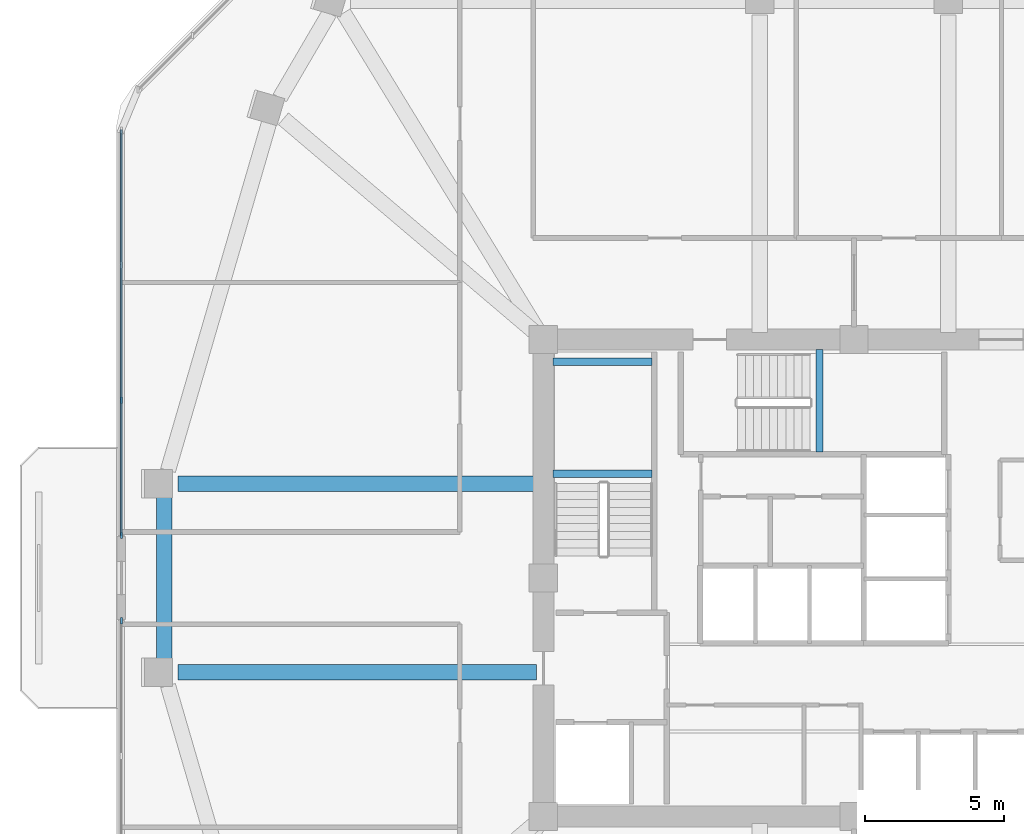
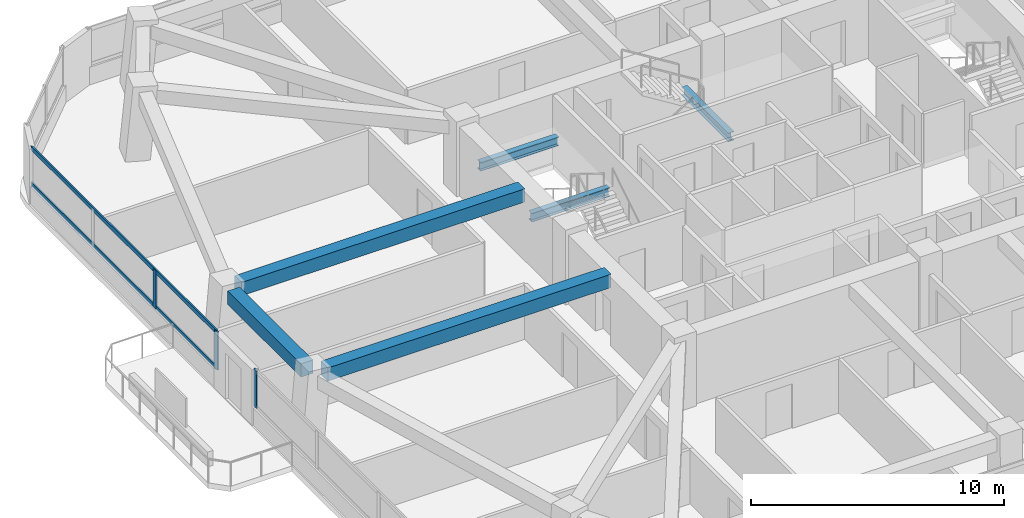
# One storey, part 4 of 15: 6 beams, 5 members, 2 elements without a shape of their own.
"""IFC4 building model written with IfcOpenShell, lengths in metres."""

from ifc_helpers import new_model, si_unit, derived_unit, direction, frame, origin, origin_2d, place, context, subcontext, project, spatial, rectangle, i_section, extrude, material, material_profile, profile_set, type_object, element, aggregate, save


model = new_model("IFC4")

# Units and contexts
model_context = context("Model", 3, precision=1e-05, world=origin(), true_north=direction((0.0, 1.0)))
body_context = subcontext(model_context, "Body", "Model", "MODEL_VIEW")
ifc_project = project(units=[si_unit("LENGTHUNIT", "METRE"), si_unit("AREAUNIT", "SQUARE_METRE"), si_unit("VOLUMEUNIT", "CUBIC_METRE"), si_unit("PLANEANGLEUNIT", "RADIAN"), si_unit("MASSUNIT", "GRAM", prefix="KILO"), derived_unit("THERMALTRANSMITTANCEUNIT", [(si_unit("POWERUNIT", "WATT"), 1), (si_unit("LENGTHUNIT", "METRE"), -2), (si_unit("THERMODYNAMICTEMPERATUREUNIT", "KELVIN"), -1)])], contexts=[model_context])

# Site, building, storey
site_placement = place(None, origin())
site = spatial("IfcSite", under=ifc_project, at=site_placement, CompositionType="ELEMENT")
building_placement = place(site_placement, origin())
building = spatial("IfcBuilding", under=site, at=building_placement, Name="Koralith Skygarden Medical Center", CompositionType="ELEMENT")
storey_placement = place(building_placement, frame((0.0, 0.0, 91.97998046875)))
storey = spatial("IfcBuildingStorey", under=building, at=storey_placement, Name="L23", CompositionType="ELEMENT", Elevation=91.97998046875)

# Curtain wall, members
ifc_material_1 = material(Name="Clear Laminated Glass", Category="glass")
curtain_wall_type = type_object("IfcCurtainWallType", Name="CW-3 Zone 2 Faceted Solar Curtain Wall", PredefinedType="NOTDEFINED", material=ifc_material_1)
curtain_wall_1_placement = place(storey_placement, origin())
curtain_wall_1 = element("IfcCurtainWall", 1, at=curtain_wall_1_placement, inside=storey, type_object=curtain_wall_type, Name="Curtain Wall CW-L23-W-L", PredefinedType="NOTDEFINED")
ifc_material_2 = material(Name="Aluminium 6063-T6", Category="aluminium")
ifc_material_profile_1 = material_profile(ifc_material_2, rectangle(XDim=0.073974609375, YDim=0.219970703125, at=origin_2d()), Name="MUL74X220")
ifc_profile_set_1 = profile_set([ifc_material_profile_1], Name="Aluminium 6063-T6")
member_type_1 = type_object("IfcMemberType", Name="CW-3 Extruded Mullion 74x220", PredefinedType="MULLION", material=ifc_profile_set_1)
member_1_placement = place(storey_placement, frame((10.58203125, 32.31201171875, 0.85009765625), z_axis=(0.0, 0.0, 1.0), x_axis=(1.0, 0.0, 0.0)))
member_1 = element("IfcMember", 2, at=member_1_placement, type_object=member_type_1, Name="CW-L23-W-L Mullion 3", PredefinedType="MULLION", context=body_context, shape_type="SweptSolid", body=[
    extrude(rectangle(XDim=0.073974609375, YDim=0.219970703125, at=origin_2d()), origin(), (0.0, 0.0, 1.0), 1.81982421875),
])
member_2_placement = place(storey_placement, frame((10.58203125, 27.43994140625, 0.85009765625), z_axis=(0.0, 0.0, 1.0), x_axis=(1.0, 0.0, 0.0)))
member_2 = element("IfcMember", 3, at=member_2_placement, type_object=member_type_1, Name="CW-L23-W-L Mullion 4", PredefinedType="MULLION", context=body_context, shape_type="SweptSolid", body=[
    extrude(rectangle(XDim=0.073974609375, YDim=0.219970703125, at=origin_2d()), origin(), (0.0, 0.0, 1.0), 1.81982421875),
])

# Curtain wall, member
curtain_wall_2_placement = place(storey_placement, origin())
curtain_wall_2 = element("IfcCurtainWall", 4, at=curtain_wall_2_placement, inside=storey, type_object=curtain_wall_type, Name="Curtain Wall CW-L23-W-R", PredefinedType="NOTDEFINED")
member_3_placement = place(storey_placement, frame((10.58203125, 24.360107421875, 0.85009765625), z_axis=(0.0, 0.0, 1.0), x_axis=(1.0, 0.0, 0.0)))
member_3 = element("IfcMember", 5, at=member_3_placement, type_object=member_type_1, Name="CW-L23-W-R Mullion 1", PredefinedType="MULLION", context=body_context, shape_type="SweptSolid", body=[
    extrude(rectangle(XDim=0.073974609375, YDim=0.219970703125, at=origin_2d()), origin(), (0.0, 0.0, 1.0), 1.81982421875),
])
aggregate(curtain_wall_2, [member_3])

# Member
ifc_material_profile_2 = material_profile(ifc_material_2, rectangle(XDim=0.069091796875, YDim=0.197998046875, at=origin_2d()), Name="TRN69X198")
ifc_profile_set_2 = profile_set([ifc_material_profile_2], Name="Aluminium 6063-T6")
member_type_2 = type_object("IfcMemberType", Name="CW-3 Thermal Transom 69x198", PredefinedType="USERDEFINED", material=ifc_profile_set_2)
member_4_placement = place(storey_placement, frame((10.58203125, 42.055908203125, 0.89990234375), z_axis=(0.0, -1.0, 0.0), x_axis=(1.0, 0.0, 0.0)))
member_4 = element("IfcMember", 6, at=member_4_placement, type_object=member_type_2, Name="CW-L23-W-L Transom 1", ObjectType="TRANSOM", PredefinedType="USERDEFINED", context=body_context, shape_type="SweptSolid", body=[
    extrude(rectangle(XDim=0.069091796875, YDim=0.197998046875, at=origin_2d()), origin(), (0.0, 0.0, 1.0), 14.615966796875),
])

member_5_placement = place(storey_placement, frame((10.58203125, 42.055908203125, 2.6201171875), z_axis=(0.0, -1.0, 0.0), x_axis=(1.0, 0.0, 0.0)))
member_5 = element("IfcMember", 7, at=member_5_placement, type_object=member_type_2, Name="CW-L23-W-L Transom 2", ObjectType="TRANSOM", PredefinedType="USERDEFINED", context=body_context, shape_type="SweptSolid", body=[
    extrude(rectangle(XDim=0.069091796875, YDim=0.197998046875, at=origin_2d()), origin(), (0.0, 0.0, 1.0), 14.615966796875),
])

aggregate(curtain_wall_1, [member_1, member_2, member_4, member_5])

# Beams
ifc_material_3 = material(Name="Steel ASTM A992 Grade 50", Category="steel")
ifc_material_profile_3 = material_profile(ifc_material_3, i_section(OverallWidth=0.260009765625, OverallDepth=0.4150390625, WebThickness=0.010009765625, FlangeThickness=0.016845703125, at=origin_2d()), Name="W16X67")
ifc_profile_set_3 = profile_set([ifc_material_profile_3], Name="Steel ASTM A992 Grade 50")
beam_type_1 = type_object("IfcBeamType", Name="Clinical Floor Joist W16X67", PredefinedType="JOIST", material=ifc_profile_set_3)
for number, where, z_axis, x_axis, name in (
    (8, (26.155029296875, 29.659912109375, 1.39306640625), (1.0, 0.0, 0.0), (0.0, 1.0, 0.0), "L23 Stair ST1 Half-Landing Support Beam 1A"),
    (9, (26.155029296875, 33.699951171875, 1.39306640625), (1.0, 0.0, 0.0), (0.0, 1.0, 0.0), "L23 Stair ST1 Half-Landing Support Beam 1B"),
):
    element("IfcBeam", number, at=place(storey_placement, frame(where, z_axis=z_axis, x_axis=x_axis)), inside=storey, type_object=beam_type_1, Name=name, PredefinedType="JOIST", context=body_context, shape_type="SweptSolid", body=[
        extrude(i_section(OverallWidth=0.260009765625, OverallDepth=0.4150390625, WebThickness=0.010009765625, FlangeThickness=0.016845703125, at=origin_2d()), origin(), (0.0, 0.0, 1.0), 3.56494140625),
    ])
beam_1_placement = place(storey_placement, frame((35.760009765625, 30.43994140625, 1.39306640625), z_axis=(0.0, 1.0, 0.0), x_axis=(-1.0, 0.0, 0.0)))
element("IfcBeam", 10, at=beam_1_placement, inside=storey, type_object=beam_type_1, Name="L23 Stair ST3 Half-Landing Support Beam 1A", PredefinedType="JOIST", context=body_context, shape_type="SweptSolid", body=[
    extrude(i_section(OverallWidth=0.260009765625, OverallDepth=0.4150390625, WebThickness=0.010009765625, FlangeThickness=0.016845703125, at=origin_2d()), origin(), (0.0, 0.0, 1.0), 3.705078125),
])
ifc_material_4 = material(Name="Concrete C45/55", Category="concrete")
ifc_material_profile_4 = material_profile(ifc_material_4, rectangle(XDim=0.550048828125, YDim=0.639892578125, at=origin_2d()), Name="RCB550X640")
ifc_profile_set_4 = profile_set([ifc_material_profile_4], Name="Concrete C45/55")
beam_type_2 = type_object("IfcBeamType", Name="Radial Collector Beam RCB550X640", PredefinedType="BEAM", material=ifc_profile_set_4)
for number, where, z_axis, x_axis, name in (
    (11, (25.550048828125, 22.5, 3.0), (-1.0, 0.0, 0.0), (0.0, -1.0, 0.0), "L23 Radial Collector Beam RB-01"),
    (12, (25.550048828125, 29.300048828125, 3.0), (-1.0, 0.0, 0.0), (0.0, -1.0, 0.0), "L23 Radial Collector Beam RB-16"),
):
    element("IfcBeam", number, at=place(storey_placement, frame(where, z_axis=z_axis, x_axis=x_axis)), inside=storey, type_object=beam_type_2, Name=name, PredefinedType="BEAM", context=body_context, shape_type="SweptSolid", body=[
        extrude(rectangle(XDim=0.550048828125, YDim=0.639892578125, at=origin_2d()), origin(), (0.0, 0.0, 1.0), 12.926025390625),
    ])
ifc_material_profile_5 = material_profile(ifc_material_4, rectangle(XDim=0.550048828125, YDim=0.639892578125, at=origin_2d()), Name="RCB550X640")
ifc_profile_set_5 = profile_set([ifc_material_profile_5], Name="Concrete C45/55")
beam_type_3 = type_object("IfcBeamType", Name="Zone 2-3 Spandrel Beam RCB550X640", PredefinedType="SPANDREL", material=ifc_profile_set_5)
beam_2_placement = place(storey_placement, frame((12.1240234375, 28.800048828125, 3.0), z_axis=(0.0, -1.0, 0.0), x_axis=(1.0, 0.0, 0.0)))
element("IfcBeam", 13, at=beam_2_placement, inside=storey, type_object=beam_type_3, Name="L23 Perimeter Spandrel Beam SP-16", PredefinedType="SPANDREL", context=body_context, shape_type="SweptSolid", body=[
    extrude(rectangle(XDim=0.550048828125, YDim=0.639892578125, at=origin_2d()), origin(), (0.0, 0.0, 1.0), 5.800048828125),
])

save(model, "model.ifc")
